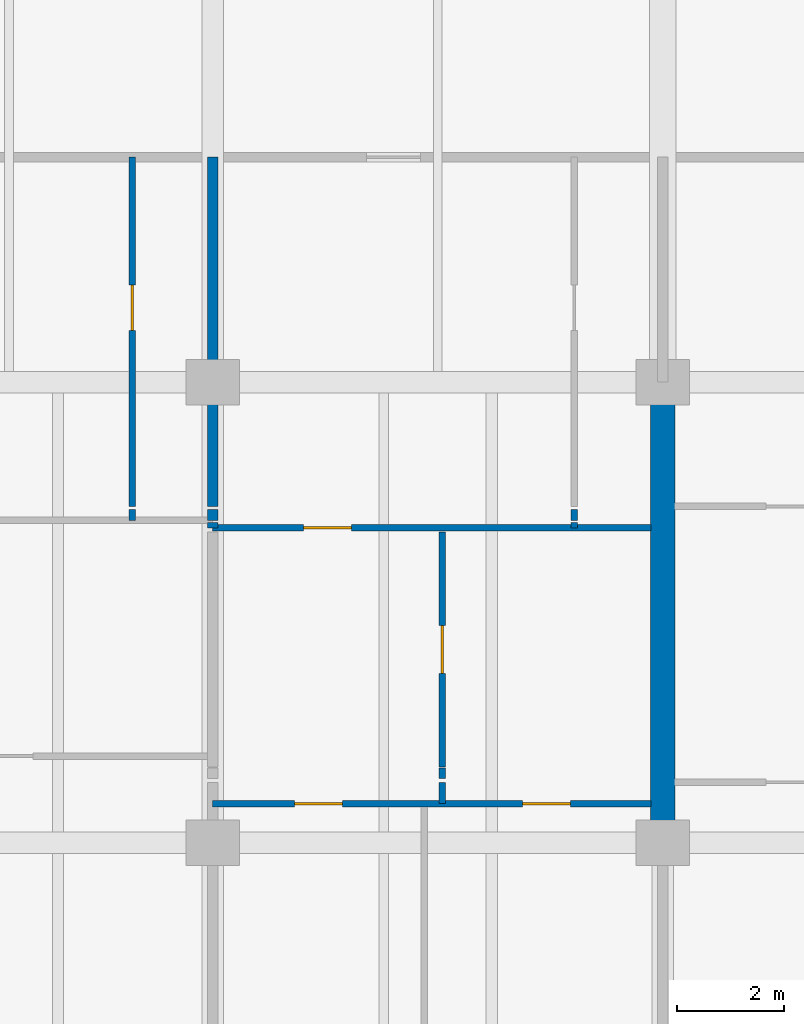
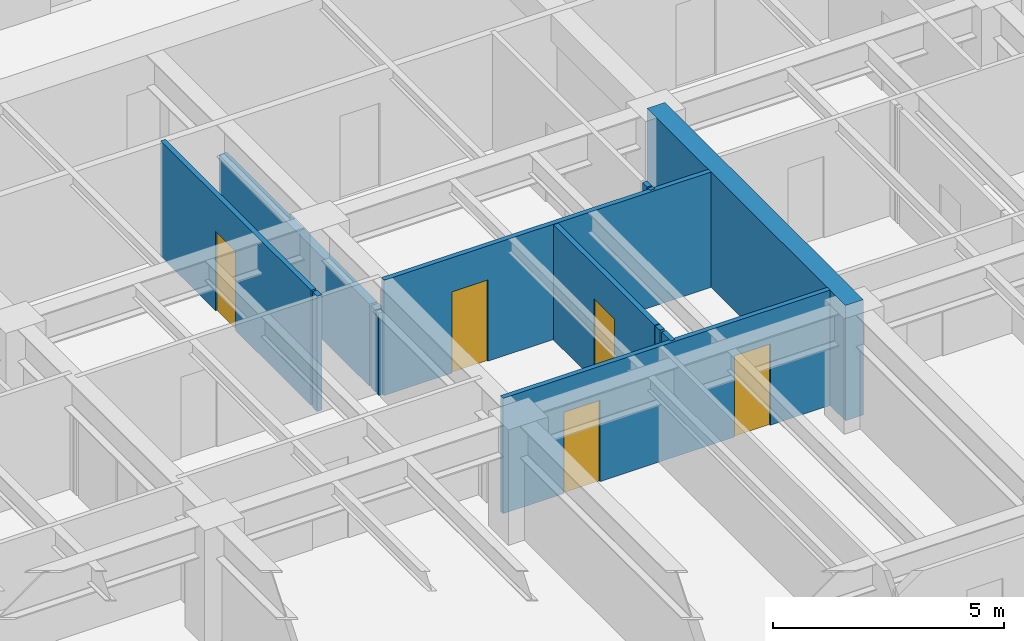
# One storey, part 9 of 19: 13 walls, 5 doors, 5 openings.
"""IFC4 building model written with IfcOpenShell, lengths in metres."""

import ifcopenshell
import ifcopenshell.guid

model = None  # the IFC model being written
_history = None  # IfcOwnerHistory: only IFC2X3 demands one
_inside = {}  # id of a spatial element -> (the spatial element, [elements in it])
_under = {}  # id of a project, library or spatial element -> (it, [spatial elements below it])
_declared = {}  # id of a project -> (the project, [libraries it declares])
_typed = {}  # id of a type object -> (the type object, [elements of that type])
_made_of = {}  # id of a material, layer set ... -> (it, [elements and type objects made of it])


def new_model(schema):
    """Start an empty IFC model of exactly this schema.

    Asked for "IFC4X3", IfcOpenShell would pick the latest addendum, in which some entities
    have other attributes; the version numbers below select the first issue.
    IFC2X3 requires an IfcOwnerHistory on every rooted entity: one is made here for all.
    """
    global model, _history
    if schema == "IFC4X3":
        model = ifcopenshell.file(schema_version=(4, 3, 0, 0))
    else:
        model = ifcopenshell.file(schema=schema)
    _inside.clear()
    _under.clear()
    _declared.clear()
    _typed.clear()
    _made_of.clear()
    _history = None
    if model.schema == "IFC2X3":
        org = make("IfcOrganization", Name="unknown")
        user = make(
            "IfcPersonAndOrganization",
            ThePerson=make("IfcPerson", FamilyName="unknown"),
            TheOrganization=org,
        )
        app = make(
            "IfcApplication",
            ApplicationDeveloper=org,
            Version="unknown",
            ApplicationFullName="unknown",
            ApplicationIdentifier="unknown",
        )
        _history = make(
            "IfcOwnerHistory",
            OwningUser=user,
            OwningApplication=app,
            ChangeAction="ADDED",
            CreationDate=0,
        )
    return model


def make(cls, **values):
    """One entity of the class cls with the attributes given. An attribute that is None is left unset."""
    return model.create_entity(
        cls, **{name: value for name, value in values.items() if value is not None}
    )


def rooted(cls, **values):
    """An entity with a GlobalId (a new one), such as an element, a storey or a relation."""
    return make(cls, GlobalId=ifcopenshell.guid.new(), OwnerHistory=_history, **values)


def si_unit(unit_type, name, prefix=None):
    """IfcSIUnit, for example si_unit("LENGTHUNIT", "METRE", prefix="MILLI")."""
    return make("IfcSIUnit", UnitType=unit_type, Prefix=prefix, Name=name)


def assignment(units):
    """IfcUnitAssignment: the units of a project."""
    return None if units is None else make("IfcUnitAssignment", Units=units)


def point(xyz):
    """IfcCartesianPoint."""
    return None if xyz is None else make("IfcCartesianPoint", Coordinates=xyz)


def direction(xyz):
    """IfcDirection."""
    return None if xyz is None else make("IfcDirection", DirectionRatios=xyz)


def frame(location, z_axis=None, x_axis=None):
    """IfcAxis2Placement3D, a coordinate frame: its origin and axes. An axis left out is left unset."""
    return make(
        "IfcAxis2Placement3D",
        Location=point(location),
        Axis=direction(z_axis),
        RefDirection=direction(x_axis),
    )


def frame_2d(location, x_axis=None):
    """IfcAxis2Placement2D, a coordinate frame in the plane: its origin and x axis."""
    return make(
        "IfcAxis2Placement2D", Location=point(location), RefDirection=direction(x_axis)
    )


def origin():
    """The frame at (0, 0, 0) with its axes left unset."""
    return frame((0.0, 0.0, 0.0))


def place(relative_to, where):
    """IfcLocalPlacement: puts the frame where relative to a parent placement (None: the world)."""
    return make(
        "IfcLocalPlacement", PlacementRelTo=relative_to, RelativePlacement=where
    )


def context(
    kind, dimensions, precision=None, world=None, true_north=None, identifier=None
):
    """IfcGeometricRepresentationContext, for example the 3D "Model" context."""
    return make(
        "IfcGeometricRepresentationContext",
        ContextIdentifier=identifier,
        ContextType=kind,
        CoordinateSpaceDimension=dimensions,
        Precision=precision,
        WorldCoordinateSystem=world,
        TrueNorth=true_north,
    )


def subcontext(parent, identifier, kind, view, scale=None):
    """IfcGeometricRepresentationSubContext, for example "Body" below "Model"."""
    return make(
        "IfcGeometricRepresentationSubContext",
        ContextIdentifier=identifier,
        ContextType=kind,
        ParentContext=parent,
        TargetScale=scale,
        TargetView=view,
    )


def project(units=None, contexts=None):
    """IfcProject with its units and contexts."""
    return rooted(
        "IfcProject",
        Name="project",
        RepresentationContexts=contexts,
        UnitsInContext=assignment(units),
    )


def spatial(cls, under=None, at=None, **own):
    """A site, building, storey or space (cls), placed at a placement, below another one or the project."""
    s = rooted(cls, ObjectPlacement=at, **own)
    if under is not None:
        _under.setdefault(under.id(), (under, []))[1].append(s)
    return s


def profile(cls, at=None, kind="AREA", **sizes):
    """A parametric profile (cls). Its sizes go by their IFC names, for example OverallWidth=200.0."""
    return make(cls, ProfileType=kind, Position=at, **sizes)


def rectangle(**sizes):
    """IfcRectangleProfileDef."""
    return profile("IfcRectangleProfileDef", **sizes)


def extrude(swept, where, along, depth):
    """IfcExtrudedAreaSolid: the profile swept, set in the frame where, extruded along a direction by depth."""
    return make(
        "IfcExtrudedAreaSolid",
        SweptArea=swept,
        Position=where,
        ExtrudedDirection=direction(along),
        Depth=depth,
    )


def shape(context_of_items, identifier, shape_type, items):
    """IfcShapeRepresentation: the items that make up one representation, for example the "Body"."""
    return make(
        "IfcShapeRepresentation",
        ContextOfItems=context_of_items,
        RepresentationIdentifier=identifier,
        RepresentationType=shape_type,
        Items=items,
    )


def material(Name=None, Category=None):
    """IfcMaterial."""
    return make("IfcMaterial", Name=Name, Category=Category)


def layer(
    of_material, thickness, ventilated=None, Name=None, Category=None, Priority=None
):
    """IfcMaterialLayer: one layer of a wall or slab, of a material (None: an air gap)."""
    return make(
        "IfcMaterialLayer",
        Material=of_material,
        LayerThickness=thickness,
        IsVentilated=ventilated,
        Name=Name,
        Category=Category,
        Priority=Priority,
    )


def layer_set(layers, Name=None):
    """IfcMaterialLayerSet."""
    return make("IfcMaterialLayerSet", MaterialLayers=layers, LayerSetName=Name)


def made_of(thing, what):
    """Note that an element or type object is made of a material, layer set ...; save() writes the relation."""
    if what is not None:
        _made_of.setdefault(what.id(), (what, []))[1].append(thing)
    return thing


def type_object(cls, material=None, **own):
    """A type object (cls), such as IfcWallType, which elements share."""
    return made_of(rooted(cls, **own), material)


def element(
    cls,
    number,
    at=None,
    inside=None,
    cuts=None,
    type_object=None,
    material=None,
    context=None,
    identifier="Body",
    shape_type=None,
    held_by="IfcProductDefinitionShape",
    body=None,
    shapes=None,
    **own,
):
    """One element of the class cls, such as IfcWall. Its Tag is "e" and its number.

    at: its placement. inside: the storey or other place that contains it. cuts: it is an
    opening in that element (IfcRelVoidsElement). A single representation is given by context,
    identifier, shape_type and body (its items); several are given by shapes. held_by: the class
    of the entity that holds the representations. save() writes the other relations.
    """
    e = rooted(cls, Tag="e%d" % number, ObjectPlacement=at, **own)
    if body is not None:
        shapes = [shape(context, identifier, shape_type, body)]
    if shapes is not None:
        e.Representation = make(held_by, Representations=shapes)
    if inside is not None:
        _inside.setdefault(inside.id(), (inside, []))[1].append(e)
    if cuts is not None:
        rooted(
            "IfcRelVoidsElement", RelatingBuildingElement=cuts, RelatedOpeningElement=e
        )
    if type_object is not None:
        _typed.setdefault(type_object.id(), (type_object, []))[1].append(e)
    return made_of(e, material)


def fill(opening, filler):
    """IfcRelFillsElement: the door or window that sits in an opening."""
    return rooted(
        "IfcRelFillsElement",
        RelatingOpeningElement=opening,
        RelatedBuildingElement=filler,
    )


def aggregate(whole, parts):
    """IfcRelAggregates: a whole, such as a stair, and the parts it consists of."""
    return rooted("IfcRelAggregates", RelatingObject=whole, RelatedObjects=parts)


def save(model, path):
    """Write the relations noted so far, then the file.

    IfcRelAggregates (storeys below a building ...), IfcRelContainedInSpatialStructure (elements
    in a storey), IfcRelDefinesByType, IfcRelAssociatesMaterial and IfcRelDeclares: one each for
    every whole, place, type object, material and project.
    """
    for whole, parts in _under.values():
        aggregate(whole, parts)
    for where, things in _inside.values():
        rooted(
            "IfcRelContainedInSpatialStructure",
            RelatedElements=things,
            RelatingStructure=where,
        )
    for kind, things in _typed.values():
        rooted("IfcRelDefinesByType", RelatedObjects=things, RelatingType=kind)
    for what, things in _made_of.values():
        rooted("IfcRelAssociatesMaterial", RelatedObjects=things, RelatingMaterial=what)
    for by, libraries in _declared.values():
        rooted("IfcRelDeclares", RelatingContext=by, RelatedDefinitions=libraries)
    model.write(path)


model = new_model("IFC4")

# Units and contexts
model_context = context("Model", 3, precision=1e-05, world=origin(), true_north=direction((0.0, 1.0)))
body_context = subcontext(model_context, "Body", "Model", "MODEL_VIEW")
ifc_project = project(units=[si_unit("LENGTHUNIT", "METRE"), si_unit("AREAUNIT", "SQUARE_METRE"), si_unit("VOLUMEUNIT", "CUBIC_METRE"), si_unit("PLANEANGLEUNIT", "RADIAN"), si_unit("MASSUNIT", "GRAM", prefix="KILO")], contexts=[model_context])

# Site, building, storey
site_placement = place(None, origin())
site = spatial("IfcSite", under=ifc_project, at=site_placement, CompositionType="ELEMENT")
building_placement = place(site_placement, origin())
building = spatial("IfcBuilding", under=site, at=building_placement, Name="Caelmar Bay Residences", CompositionType="ELEMENT")
storey_placement = place(building_placement, frame((0.0, 0.0, 115.800048828125)))
storey = spatial("IfcBuildingStorey", under=building, at=storey_placement, Name="L31", CompositionType="ELEMENT", Elevation=115.800048828125)

# Walls
ifc_material_1 = material(Name="Concrete f'c 55 MPa (8,000 psi)", Category="concrete")
ifc_layer_1 = layer(ifc_material_1, 0.449951171875)
ifc_layer_set_1 = layer_set([ifc_layer_1], Name="Concrete f'c 55 MPa (8,000 psi)")
wall_type_1 = type_object("IfcWallType", Name="SW-XSLB-450", PredefinedType="SHEAR", material=ifc_layer_set_1)
wall_1_placement = place(storey_placement, frame((51.10009765625, 20.800048828125, 0.0), z_axis=(0.0, 0.0, 1.0), x_axis=(0.0, 1.0, 0.0)))
element("IfcWall", 1, at=wall_1_placement, inside=storey, type_object=wall_type_1, Name="L31 Transverse Cross-Slab Shear Wall E8", PredefinedType="SHEAR", context=body_context, shape_type="SweptSolid", body=[
    extrude(rectangle(XDim=8.599853515625, YDim=0.449951171875, at=frame_2d((4.2998046875, 0.0))), origin(), (0.0, 0.0, 1.0), 3.050048828125),
])
ifc_material_2 = material(Name="Acoustic metal-stud gypsum partition 120 mm")
ifc_layer_2 = layer(ifc_material_2, 0.1201171875)
ifc_layer_set_2 = layer_set([ifc_layer_2], Name="Acoustic metal-stud gypsum partition 120 mm")
wall_type_2 = type_object("IfcWallType", Name="W-PRT-120", PredefinedType="PARTITIONING", material=ifc_layer_set_2)
wall_2_placement = place(storey_placement, frame((41.199951171875, 26.820068359375, 0.0), z_axis=(0.0, 0.0, 1.0), x_axis=(0.0, 1.0, 0.0)))
element("IfcWall", 2, at=wall_2_placement, inside=storey, type_object=wall_type_2, Name="L31 Partition Wall V053", PredefinedType="PARTITIONING", context=body_context, shape_type="SweptSolid", body=[
    extrude(rectangle(XDim=0.199951171875, YDim=0.1201171875, at=frame_2d((0.10009765625, 0.0))), origin(), (0.0, 0.0, 1.0), 3.050048828125),
])

# Wall, opening, door
wall_3_placement = place(storey_placement, frame((41.199951171875, 27.080078125, 0.0), z_axis=(0.0, 0.0, 1.0), x_axis=(0.0, 1.0, 0.0)))
wall_3 = element("IfcWall", 3, at=wall_3_placement, inside=storey, type_object=wall_type_2, Name="L31 Partition Wall V054", PredefinedType="PARTITIONING", context=body_context, shape_type="SweptSolid", body=[
    extrude(rectangle(XDim=6.52001953125, YDim=0.1201171875, at=frame_2d((3.260009765625, 0.0))), origin(), (0.0, 0.0, 1.0), 3.050048828125),
])
opening_1_placement = place(wall_3_placement, frame((3.284912109375, 0.0, 0.0)))
opening_1 = element("IfcOpeningElement", 4, at=opening_1_placement, cuts=wall_3, Name="Opening D-L31-137", PredefinedType="OPENING", context=body_context, shape_type="SweptSolid", body=[
    extrude(rectangle(XDim=0.85009765625, YDim=2.10009765625, at=frame_2d((0.425048828125, 1.050048828125))), frame((0.0, 0.070068359375, 0.0), z_axis=(0.0, -1.0, 0.0), x_axis=(1.0, 0.0, 0.0)), (0.0, 0.0, 1.0), 0.14013671875),
])
ifc_material_3 = material(Name="Solid walnut timber interior door leaf and frame", Category="wood")
ifc_layer_3 = layer(ifc_material_3, 0.050048828125)
ifc_layer_set_3 = layer_set([ifc_layer_3], Name="Solid walnut timber interior door leaf and frame")
door_type_1 = type_object("IfcDoorType", Name="D-BATH-850", OperationType="NOTDEFINED", PredefinedType="DOOR", material=ifc_layer_set_3)
door_1_placement = place(opening_1_placement, origin())
door_1 = element("IfcDoor", 5, at=door_1_placement, inside=storey, type_object=door_type_1, Name="L31 Residence 02 En-Suite Bathroom 1 Door", OperationType="SINGLE_SWING_RIGHT", OverallHeight=2.10009765625, OverallWidth=0.85009765625, PredefinedType="DOOR", context=body_context, shape_type="SweptSolid", body=[
    extrude(rectangle(XDim=0.85009765625, YDim=2.10009765625, at=frame_2d((0.425048828125, 1.050048828125))), frame((0.0, 0.02490234375, 0.0), z_axis=(0.0, -1.0, 0.0), x_axis=(1.0, 0.0, 0.0)), (0.0, 0.0, 1.0), 0.050048828125),
])
fill(opening_1, door_1)

# Walls
wall_4_placement = place(storey_placement, frame((46.986083984375, 21.530029296875, 0.0), z_axis=(0.0, 0.0, 1.0), x_axis=(0.0, 1.0, 0.0)))
element("IfcWall", 6, at=wall_4_placement, inside=storey, type_object=wall_type_2, Name="L31 Partition Wall V066", PredefinedType="PARTITIONING", context=body_context, shape_type="SweptSolid", body=[
    extrude(rectangle(XDim=0.39990234375, YDim=0.1201171875, at=frame_2d((0.199951171875, 0.0))), origin(), (0.0, 0.0, 1.0), 3.050048828125),
])
wall_5_placement = place(storey_placement, frame((46.986083984375, 22.0, 0.0), z_axis=(0.0, 0.0, 1.0), x_axis=(0.0, 1.0, 0.0)))
element("IfcWall", 7, at=wall_5_placement, inside=storey, type_object=wall_type_2, Name="L31 Partition Wall V067", PredefinedType="PARTITIONING", context=body_context, shape_type="SweptSolid", body=[
    extrude(rectangle(XDim=0.199951171875, YDim=0.1201171875, at=frame_2d((0.10009765625, 0.0))), origin(), (0.0, 0.0, 1.0), 3.050048828125),
])

# Wall, opening, door
wall_6_placement = place(storey_placement, frame((46.986083984375, 22.219970703125, 0.0), z_axis=(0.0, 0.0, 1.0), x_axis=(0.0, 1.0, 0.0)))
wall_6 = element("IfcWall", 8, at=wall_6_placement, inside=storey, type_object=wall_type_2, Name="L31 Partition Wall V068", PredefinedType="PARTITIONING", context=body_context, shape_type="SweptSolid", body=[
    extrude(rectangle(XDim=4.380126953125, YDim=0.1201171875, at=frame_2d((2.18994140625, 0.0))), origin(), (0.0, 0.0, 1.0), 3.050048828125),
])
opening_2_placement = place(wall_6_placement, frame((1.739990234375, 0.0, 0.0)))
opening_2 = element("IfcOpeningElement", 9, at=opening_2_placement, cuts=wall_6, Name="Opening D-L31-143", PredefinedType="OPENING", context=body_context, shape_type="SweptSolid", body=[
    extrude(rectangle(XDim=0.89990234375, YDim=2.14990234375, at=frame_2d((0.449951171875, 1.074951171875))), frame((0.0, 0.070068359375, 0.0), z_axis=(0.0, -1.0, 0.0), x_axis=(1.0, 0.0, 0.0)), (0.0, 0.0, 1.0), 0.14013671875),
])
ifc_layer_4 = layer(ifc_material_3, 0.050048828125)
ifc_layer_set_4 = layer_set([ifc_layer_4], Name="Solid walnut timber interior door leaf and frame")
door_type_2 = type_object("IfcDoorType", Name="D-ROOM-900", OperationType="NOTDEFINED", PredefinedType="DOOR", material=ifc_layer_set_4)
door_2_placement = place(opening_2_placement, origin())
door_2 = element("IfcDoor", 10, at=door_2_placement, inside=storey, type_object=door_type_2, Name="L31 Residence 03 Private Meeting Room Door", OperationType="SINGLE_SWING_RIGHT", OverallHeight=2.14990234375, OverallWidth=0.89990234375, PredefinedType="DOOR", context=body_context, shape_type="SweptSolid", body=[
    extrude(rectangle(XDim=0.89990234375, YDim=2.14990234375, at=frame_2d((0.449951171875, 1.074951171875))), frame((0.0, 0.02490234375, 0.0), z_axis=(0.0, -1.0, 0.0), x_axis=(1.0, 0.0, 0.0)), (0.0, 0.0, 1.0), 0.050048828125),
])
fill(opening_2, door_2)

# Walls
wall_7_placement = place(storey_placement, frame((49.449951171875, 26.679931640625, 0.0), z_axis=(0.0, 0.0, 1.0), x_axis=(0.0, 1.0, 0.0)))
element("IfcWall", 11, at=wall_7_placement, inside=storey, type_object=wall_type_2, Name="L31 Partition Wall V070", PredefinedType="PARTITIONING", context=body_context, shape_type="SweptSolid", body=[
    extrude(rectangle(XDim=0.10009765625, YDim=0.1201171875, at=frame_2d((0.050048828125, 0.0))), origin(), (0.0, 0.0, 1.0), 3.050048828125),
])
wall_8_placement = place(storey_placement, frame((49.449951171875, 26.820068359375, 0.0), z_axis=(0.0, 0.0, 1.0), x_axis=(0.0, 1.0, 0.0)))
element("IfcWall", 12, at=wall_8_placement, inside=storey, type_object=wall_type_2, Name="L31 Partition Wall V071", PredefinedType="PARTITIONING", context=body_context, shape_type="SweptSolid", body=[
    extrude(rectangle(XDim=0.199951171875, YDim=0.1201171875, at=frame_2d((0.10009765625, 0.0))), origin(), (0.0, 0.0, 1.0), 3.050048828125),
])

# Wall, openings, doors
wall_9_placement = place(storey_placement, frame((42.699951171875, 21.530029296875, 0.0), z_axis=(0.0, 0.0, 1.0), x_axis=(1.0, 0.0, 0.0)))
wall_9 = element("IfcWall", 13, at=wall_9_placement, inside=storey, type_object=wall_type_2, Name="L31 Partition Wall H125", PredefinedType="PARTITIONING", context=body_context, shape_type="SweptSolid", body=[
    extrude(rectangle(XDim=8.179931640625, YDim=0.1201171875, at=frame_2d((4.08984375, 0.0))), origin(), (0.0, 0.0, 1.0), 3.050048828125),
])
opening_3_placement = place(wall_9_placement, frame((1.52392578125, 0.0, 0.0)))
opening_3 = element("IfcOpeningElement", 14, at=opening_3_placement, cuts=wall_9, Name="Opening D-L31-144", PredefinedType="OPENING", context=body_context, shape_type="SweptSolid", body=[
    extrude(rectangle(XDim=0.89990234375, YDim=2.14990234375, at=frame_2d((0.449951171875, 1.074951171875))), frame((0.0, 0.070068359375, 0.0), z_axis=(0.0, -1.0, 0.0), x_axis=(1.0, 0.0, 0.0)), (0.0, 0.0, 1.0), 0.14013671875),
])
opening_4_placement = place(wall_9_placement, frame((5.782958984375, 0.0, 0.0)))
opening_4 = element("IfcOpeningElement", 15, at=opening_4_placement, cuts=wall_9, Name="Opening D-L31-145", PredefinedType="OPENING", context=body_context, shape_type="SweptSolid", body=[
    extrude(rectangle(XDim=0.89990234375, YDim=2.14990234375, at=frame_2d((0.449951171875, 1.074951171875))), frame((0.0, 0.070068359375, 0.0), z_axis=(0.0, -1.0, 0.0), x_axis=(1.0, 0.0, 0.0)), (0.0, 0.0, 1.0), 0.14013671875),
])
door_3_placement = place(opening_3_placement, origin())
door_3 = element("IfcDoor", 16, at=door_3_placement, inside=storey, type_object=door_type_2, Name="L31 Residence 03 Living Room Door", OperationType="SINGLE_SWING_LEFT", OverallHeight=2.14990234375, OverallWidth=0.89990234375, PredefinedType="DOOR", context=body_context, shape_type="SweptSolid", body=[
    extrude(rectangle(XDim=0.89990234375, YDim=2.14990234375, at=frame_2d((0.449951171875, 1.074951171875))), frame((0.0, 0.02490234375, 0.0), z_axis=(0.0, -1.0, 0.0), x_axis=(1.0, 0.0, 0.0)), (0.0, 0.0, 1.0), 0.050048828125),
])
fill(opening_3, door_3)
door_4_placement = place(opening_4_placement, origin())
door_4 = element("IfcDoor", 17, at=door_4_placement, inside=storey, type_object=door_type_2, Name="L31 Residence 03 Penthouse Sitting Room Door", OperationType="SINGLE_SWING_RIGHT", OverallHeight=2.14990234375, OverallWidth=0.89990234375, PredefinedType="DOOR", context=body_context, shape_type="SweptSolid", body=[
    extrude(rectangle(XDim=0.89990234375, YDim=2.14990234375, at=frame_2d((0.449951171875, 1.074951171875))), frame((0.0, 0.02490234375, 0.0), z_axis=(0.0, -1.0, 0.0), x_axis=(1.0, 0.0, 0.0)), (0.0, 0.0, 1.0), 0.050048828125),
])
fill(opening_4, door_4)

# Wall, opening, door
wall_10_placement = place(storey_placement, frame((42.699951171875, 26.679931640625, 0.0), z_axis=(0.0, 0.0, 1.0), x_axis=(1.0, 0.0, 0.0)))
wall_10 = element("IfcWall", 18, at=wall_10_placement, inside=storey, type_object=wall_type_2, Name="L31 Partition Wall H133", PredefinedType="PARTITIONING", context=body_context, shape_type="SweptSolid", body=[
    extrude(rectangle(XDim=8.179931640625, YDim=0.1201171875, at=frame_2d((4.08984375, 0.0))), origin(), (0.0, 0.0, 1.0), 3.050048828125),
])
opening_5_placement = place(wall_10_placement, frame((1.693115234375, 0.0, 0.0)))
opening_5 = element("IfcOpeningElement", 19, at=opening_5_placement, cuts=wall_10, Name="Opening D-L31-142", PredefinedType="OPENING", context=body_context, shape_type="SweptSolid", body=[
    extrude(rectangle(XDim=0.89990234375, YDim=2.14990234375, at=frame_2d((0.449951171875, 1.074951171875))), frame((0.0, 0.070068359375, 0.0), z_axis=(0.0, -1.0, 0.0), x_axis=(1.0, 0.0, 0.0)), (0.0, 0.0, 1.0), 0.14013671875),
])
door_5_placement = place(opening_5_placement, origin())
door_5 = element("IfcDoor", 20, at=door_5_placement, inside=storey, type_object=door_type_2, Name="L31 Residence 03 Kitchen Door", OperationType="SINGLE_SWING_LEFT", OverallHeight=2.14990234375, OverallWidth=0.89990234375, PredefinedType="DOOR", context=body_context, shape_type="SweptSolid", body=[
    extrude(rectangle(XDim=0.89990234375, YDim=2.14990234375, at=frame_2d((0.449951171875, 1.074951171875))), frame((0.0, 0.02490234375, 0.0), z_axis=(0.0, -1.0, 0.0), x_axis=(1.0, 0.0, 0.0)), (0.0, 0.0, 1.0), 0.050048828125),
])
fill(opening_5, door_5)

# Walls
ifc_material_4 = material(Name="Acoustic twin-stud fire-rated inter-tenancy partition 200 mm")
ifc_layer_5 = layer(ifc_material_4, 0.199951171875)
ifc_layer_set_5 = layer_set([ifc_layer_5], Name="Acoustic twin-stud fire-rated inter-tenancy partition 200 mm")
wall_type_3 = type_object("IfcWallType", Name="W-PTY-200", PredefinedType="PARTITIONING", material=ifc_layer_set_5)
wall_11_placement = place(storey_placement, frame((42.699951171875, 26.679931640625, 0.0), z_axis=(0.0, 0.0, 1.0), x_axis=(0.0, 1.0, 0.0)))
element("IfcWall", 21, at=wall_11_placement, inside=storey, type_object=wall_type_3, Name="L31 Partition Wall V059", PredefinedType="PARTITIONING", context=body_context, shape_type="SweptSolid", body=[
    extrude(rectangle(XDim=0.10009765625, YDim=0.199951171875, at=frame_2d((0.050048828125, 0.0))), origin(), (0.0, 0.0, 1.0), 2.174072265625),
])
wall_12_placement = place(storey_placement, frame((42.699951171875, 26.820068359375, 0.0), z_axis=(0.0, 0.0, 1.0), x_axis=(0.0, 1.0, 0.0)))
element("IfcWall", 22, at=wall_12_placement, inside=storey, type_object=wall_type_3, Name="L31 Partition Wall V060", PredefinedType="PARTITIONING", context=body_context, shape_type="SweptSolid", body=[
    extrude(rectangle(XDim=0.199951171875, YDim=0.199951171875, at=frame_2d((0.10009765625, 0.0))), origin(), (0.0, 0.0, 1.0), 2.174072265625),
])
wall_13_placement = place(storey_placement, frame((42.699951171875, 27.080078125, 0.0), z_axis=(0.0, 0.0, 1.0), x_axis=(0.0, 1.0, 0.0)))
element("IfcWall", 23, at=wall_13_placement, inside=storey, type_object=wall_type_3, Name="L31 Partition Wall V061", PredefinedType="PARTITIONING", context=body_context, shape_type="SweptSolid", body=[
    extrude(rectangle(XDim=6.52001953125, YDim=0.199951171875, at=frame_2d((3.260009765625, 0.0))), origin(), (0.0, 0.0, 1.0), 2.174072265625),
])

save(model, "model.ifc")
